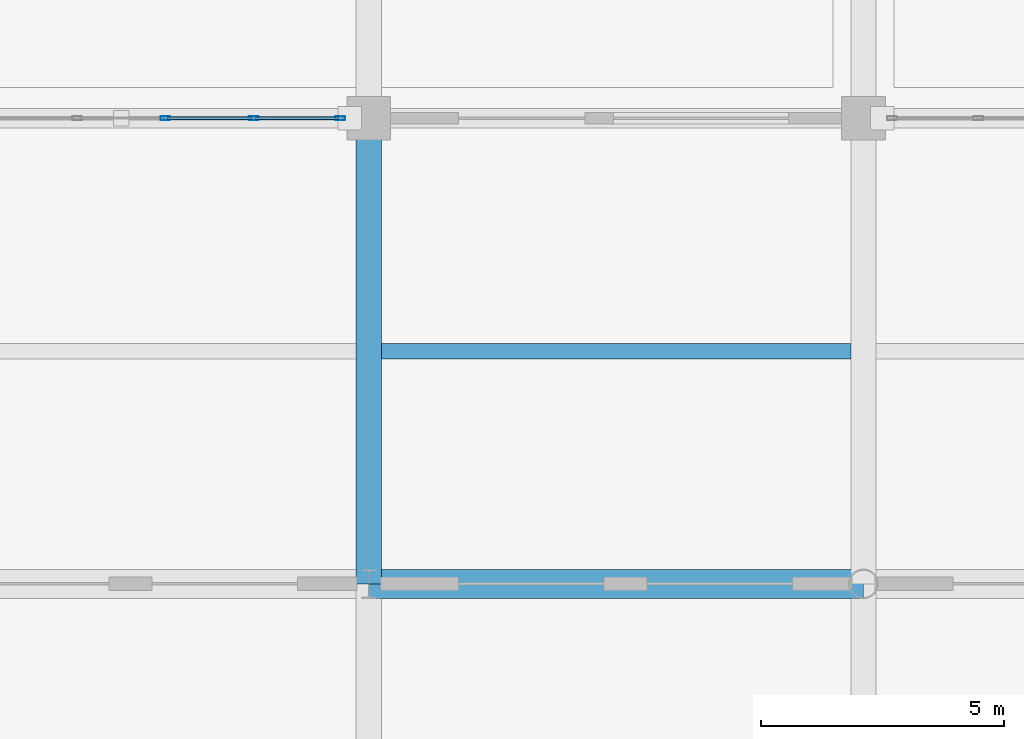
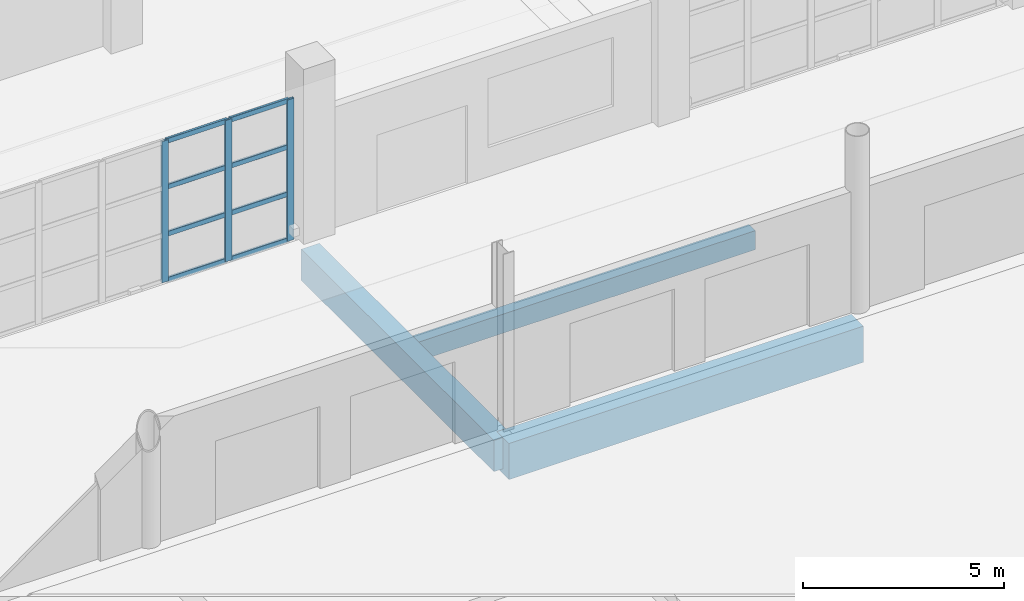
# One storey, part 42 of 124: 11 members, 3 beams, 1 element without a shape of its own.
"""IFC4 building model written with IfcOpenShell, lengths in metres."""

import ifcopenshell
import ifcopenshell.guid

model = None  # the IFC model being written
_history = None  # IfcOwnerHistory: only IFC2X3 demands one
_inside = {}  # id of a spatial element -> (the spatial element, [elements in it])
_under = {}  # id of a project, library or spatial element -> (it, [spatial elements below it])
_declared = {}  # id of a project -> (the project, [libraries it declares])
_typed = {}  # id of a type object -> (the type object, [elements of that type])
_made_of = {}  # id of a material, layer set ... -> (it, [elements and type objects made of it])


def new_model(schema):
    """Start an empty IFC model of exactly this schema.

    Asked for "IFC4X3", IfcOpenShell would pick the latest addendum, in which some entities
    have other attributes; the version numbers below select the first issue.
    IFC2X3 requires an IfcOwnerHistory on every rooted entity: one is made here for all.
    """
    global model, _history
    if schema == "IFC4X3":
        model = ifcopenshell.file(schema_version=(4, 3, 0, 0))
    else:
        model = ifcopenshell.file(schema=schema)
    _inside.clear()
    _under.clear()
    _declared.clear()
    _typed.clear()
    _made_of.clear()
    _history = None
    if model.schema == "IFC2X3":
        org = make("IfcOrganization", Name="unknown")
        user = make(
            "IfcPersonAndOrganization",
            ThePerson=make("IfcPerson", FamilyName="unknown"),
            TheOrganization=org,
        )
        app = make(
            "IfcApplication",
            ApplicationDeveloper=org,
            Version="unknown",
            ApplicationFullName="unknown",
            ApplicationIdentifier="unknown",
        )
        _history = make(
            "IfcOwnerHistory",
            OwningUser=user,
            OwningApplication=app,
            ChangeAction="ADDED",
            CreationDate=0,
        )
    return model


def make(cls, **values):
    """One entity of the class cls with the attributes given. An attribute that is None is left unset."""
    return model.create_entity(
        cls, **{name: value for name, value in values.items() if value is not None}
    )


def rooted(cls, **values):
    """An entity with a GlobalId (a new one), such as an element, a storey or a relation."""
    return make(cls, GlobalId=ifcopenshell.guid.new(), OwnerHistory=_history, **values)


def si_unit(unit_type, name, prefix=None):
    """IfcSIUnit, for example si_unit("LENGTHUNIT", "METRE", prefix="MILLI")."""
    return make("IfcSIUnit", UnitType=unit_type, Prefix=prefix, Name=name)


def assignment(units):
    """IfcUnitAssignment: the units of a project."""
    return None if units is None else make("IfcUnitAssignment", Units=units)


def point(xyz):
    """IfcCartesianPoint."""
    return None if xyz is None else make("IfcCartesianPoint", Coordinates=xyz)


def direction(xyz):
    """IfcDirection."""
    return None if xyz is None else make("IfcDirection", DirectionRatios=xyz)


def frame(location, z_axis=None, x_axis=None):
    """IfcAxis2Placement3D, a coordinate frame: its origin and axes. An axis left out is left unset."""
    return make(
        "IfcAxis2Placement3D",
        Location=point(location),
        Axis=direction(z_axis),
        RefDirection=direction(x_axis),
    )


def frame_2d(location, x_axis=None):
    """IfcAxis2Placement2D, a coordinate frame in the plane: its origin and x axis."""
    return make(
        "IfcAxis2Placement2D", Location=point(location), RefDirection=direction(x_axis)
    )


def origin():
    """The frame at (0, 0, 0) with its axes left unset."""
    return frame((0.0, 0.0, 0.0))


def origin_2d():
    """The frame at (0, 0) in the plane with its x axis left unset."""
    return frame_2d((0.0, 0.0))


def place(relative_to, where):
    """IfcLocalPlacement: puts the frame where relative to a parent placement (None: the world)."""
    return make(
        "IfcLocalPlacement", PlacementRelTo=relative_to, RelativePlacement=where
    )


def context(
    kind, dimensions, precision=None, world=None, true_north=None, identifier=None
):
    """IfcGeometricRepresentationContext, for example the 3D "Model" context."""
    return make(
        "IfcGeometricRepresentationContext",
        ContextIdentifier=identifier,
        ContextType=kind,
        CoordinateSpaceDimension=dimensions,
        Precision=precision,
        WorldCoordinateSystem=world,
        TrueNorth=true_north,
    )


def subcontext(parent, identifier, kind, view, scale=None):
    """IfcGeometricRepresentationSubContext, for example "Body" below "Model"."""
    return make(
        "IfcGeometricRepresentationSubContext",
        ContextIdentifier=identifier,
        ContextType=kind,
        ParentContext=parent,
        TargetScale=scale,
        TargetView=view,
    )


def project(units=None, contexts=None):
    """IfcProject with its units and contexts."""
    return rooted(
        "IfcProject",
        Name="project",
        RepresentationContexts=contexts,
        UnitsInContext=assignment(units),
    )


def spatial(cls, under=None, at=None, **own):
    """A site, building, storey or space (cls), placed at a placement, below another one or the project."""
    s = rooted(cls, ObjectPlacement=at, **own)
    if under is not None:
        _under.setdefault(under.id(), (under, []))[1].append(s)
    return s


def profile(cls, at=None, kind="AREA", **sizes):
    """A parametric profile (cls). Its sizes go by their IFC names, for example OverallWidth=200.0."""
    return make(cls, ProfileType=kind, Position=at, **sizes)


def rectangle(**sizes):
    """IfcRectangleProfileDef."""
    return profile("IfcRectangleProfileDef", **sizes)


def hollow_rectangle(**sizes):
    """IfcRectangleHollowProfileDef."""
    return profile("IfcRectangleHollowProfileDef", **sizes)


def extrude(swept, where, along, depth):
    """IfcExtrudedAreaSolid: the profile swept, set in the frame where, extruded along a direction by depth."""
    return make(
        "IfcExtrudedAreaSolid",
        SweptArea=swept,
        Position=where,
        ExtrudedDirection=direction(along),
        Depth=depth,
    )


def shape(context_of_items, identifier, shape_type, items):
    """IfcShapeRepresentation: the items that make up one representation, for example the "Body"."""
    return make(
        "IfcShapeRepresentation",
        ContextOfItems=context_of_items,
        RepresentationIdentifier=identifier,
        RepresentationType=shape_type,
        Items=items,
    )


def material(Name=None, Category=None):
    """IfcMaterial."""
    return make("IfcMaterial", Name=Name, Category=Category)


def material_profile(
    of_material, cross_section, Name=None, Category=None, Priority=None
):
    """IfcMaterialProfile: a cross section and its material."""
    return make(
        "IfcMaterialProfile",
        Name=Name,
        Material=of_material,
        Profile=cross_section,
        Priority=Priority,
        Category=Category,
    )


def profile_set(profiles, Name=None, composite=None):
    """IfcMaterialProfileSet."""
    return make(
        "IfcMaterialProfileSet",
        Name=Name,
        MaterialProfiles=profiles,
        CompositeProfile=composite,
    )


def made_of(thing, what):
    """Note that an element or type object is made of a material, layer set ...; save() writes the relation."""
    if what is not None:
        _made_of.setdefault(what.id(), (what, []))[1].append(thing)
    return thing


def type_object(cls, material=None, **own):
    """A type object (cls), such as IfcWallType, which elements share."""
    return made_of(rooted(cls, **own), material)


def element(
    cls,
    number,
    at=None,
    inside=None,
    cuts=None,
    type_object=None,
    material=None,
    context=None,
    identifier="Body",
    shape_type=None,
    held_by="IfcProductDefinitionShape",
    body=None,
    shapes=None,
    **own,
):
    """One element of the class cls, such as IfcWall. Its Tag is "e" and its number.

    at: its placement. inside: the storey or other place that contains it. cuts: it is an
    opening in that element (IfcRelVoidsElement). A single representation is given by context,
    identifier, shape_type and body (its items); several are given by shapes. held_by: the class
    of the entity that holds the representations. save() writes the other relations.
    """
    e = rooted(cls, Tag="e%d" % number, ObjectPlacement=at, **own)
    if body is not None:
        shapes = [shape(context, identifier, shape_type, body)]
    if shapes is not None:
        e.Representation = make(held_by, Representations=shapes)
    if inside is not None:
        _inside.setdefault(inside.id(), (inside, []))[1].append(e)
    if cuts is not None:
        rooted(
            "IfcRelVoidsElement", RelatingBuildingElement=cuts, RelatedOpeningElement=e
        )
    if type_object is not None:
        _typed.setdefault(type_object.id(), (type_object, []))[1].append(e)
    return made_of(e, material)


def aggregate(whole, parts):
    """IfcRelAggregates: a whole, such as a stair, and the parts it consists of."""
    return rooted("IfcRelAggregates", RelatingObject=whole, RelatedObjects=parts)


def save(model, path):
    """Write the relations noted so far, then the file.

    IfcRelAggregates (storeys below a building ...), IfcRelContainedInSpatialStructure (elements
    in a storey), IfcRelDefinesByType, IfcRelAssociatesMaterial and IfcRelDeclares: one each for
    every whole, place, type object, material and project.
    """
    for whole, parts in _under.values():
        aggregate(whole, parts)
    for where, things in _inside.values():
        rooted(
            "IfcRelContainedInSpatialStructure",
            RelatedElements=things,
            RelatingStructure=where,
        )
    for kind, things in _typed.values():
        rooted("IfcRelDefinesByType", RelatedObjects=things, RelatingType=kind)
    for what, things in _made_of.values():
        rooted("IfcRelAssociatesMaterial", RelatedObjects=things, RelatingMaterial=what)
    for by, libraries in _declared.values():
        rooted("IfcRelDeclares", RelatingContext=by, RelatedDefinitions=libraries)
    model.write(path)


model = new_model("IFC4")

# Units and contexts
model_context = context("Model", 3, precision=1e-05, world=origin(), true_north=direction((0.0, 1.0)))
body_context = subcontext(model_context, "Body", "Model", "MODEL_VIEW")
ifc_project = project(units=[si_unit("LENGTHUNIT", "METRE"), si_unit("AREAUNIT", "SQUARE_METRE"), si_unit("VOLUMEUNIT", "CUBIC_METRE"), si_unit("PLANEANGLEUNIT", "RADIAN"), si_unit("MASSUNIT", "GRAM", prefix="KILO")], contexts=[model_context])

# Site, building, storey
site_placement = place(None, origin())
site = spatial("IfcSite", under=ifc_project, at=site_placement, CompositionType="ELEMENT")
building_placement = place(site_placement, origin())
building = spatial("IfcBuilding", under=site, at=building_placement, Name="Brelvane Convention Centre", CompositionType="ELEMENT")
storey_placement = place(building_placement, origin())
storey = spatial("IfcBuildingStorey", under=building, at=storey_placement, Name="L00", CompositionType="ELEMENT", Elevation=0.0)

# Curtain wall, members
ifc_material_1 = material(Name="Anodised Aluminium Alloy 6063-T6", Category="aluminium")
curtain_wall_type = type_object("IfcCurtainWallType", Name="Curtain Wall CW-COURT", PredefinedType="USERDEFINED", material=ifc_material_1)
curtain_wall_placement = place(storey_placement, origin())
curtain_wall = element("IfcCurtainWall", 1, at=curtain_wall_placement, inside=storey, type_object=curtain_wall_type, Name="Curtain Wall CW-COURT L00-V4S-05", ObjectType="UNITISED", PredefinedType="USERDEFINED")
ifc_material_2 = material(Name="Anodised Aluminium Alloy 6063-T6", Category="aluminium")
ifc_material_profile_1 = material_profile(ifc_material_2, hollow_rectangle(XDim=0.074951171875, YDim=0.199951171875, WallThickness=0.0048828125, InnerFilletRadius=0.0048828125, OuterFilletRadius=0.010009765625, at=origin_2d()), Name="ALU-M 200x75x5.0")
ifc_profile_set_1 = profile_set([ifc_material_profile_1], Name="Anodised Aluminium Alloy 6063-T6")
member_type_1 = type_object("IfcMemberType", Name="Curtain Mullion CW-M2", PredefinedType="MULLION", material=ifc_profile_set_1)
member_1_placement = place(storey_placement, frame((46.81005859375, 109.199951171875, 0.0), z_axis=(0.0, 0.0, 1.0), x_axis=(0.0, 1.0, 0.0)))
member_1 = element("IfcMember", 2, at=member_1_placement, type_object=member_type_1, Name="CW-COURT mullion 4", PredefinedType="MULLION", context=body_context, shape_type="SweptSolid", body=[
    extrude(hollow_rectangle(XDim=0.074951171875, YDim=0.199951171875, WallThickness=0.0048828125, InnerFilletRadius=0.0048828125, OuterFilletRadius=0.010009765625, at=origin_2d()), origin(), (0.0, 0.0, 1.0), 4.300048828125),
])
member_2_placement = place(storey_placement, frame((48.6298828125, 109.199951171875, 0.0), z_axis=(0.0, 0.0, 1.0), x_axis=(0.0, 1.0, 0.0)))
member_2 = element("IfcMember", 3, at=member_2_placement, type_object=member_type_1, Name="CW-COURT mullion 5", PredefinedType="MULLION", context=body_context, shape_type="SweptSolid", body=[
    extrude(hollow_rectangle(XDim=0.074951171875, YDim=0.199951171875, WallThickness=0.0048828125, InnerFilletRadius=0.0048828125, OuterFilletRadius=0.010009765625, at=origin_2d()), origin(), (0.0, 0.0, 1.0), 4.300048828125),
])
member_3_placement = place(storey_placement, frame((50.41259765625, 109.199951171875, 0.0), z_axis=(0.0, 0.0, 1.0), x_axis=(0.0, 1.0, 0.0)))
member_3 = element("IfcMember", 4, at=member_3_placement, type_object=member_type_1, Name="CW-COURT mullion 6", PredefinedType="MULLION", context=body_context, shape_type="SweptSolid", body=[
    extrude(hollow_rectangle(XDim=0.074951171875, YDim=0.199951171875, WallThickness=0.0048828125, InnerFilletRadius=0.0048828125, OuterFilletRadius=0.010009765625, at=origin_2d()), origin(), (0.0, 0.0, 1.0), 4.300048828125),
])
ifc_material_3 = material(Name="Anodised Aluminium Alloy 6063-T6", Category="aluminium")
ifc_material_profile_2 = material_profile(ifc_material_3, hollow_rectangle(XDim=0.070068359375, YDim=0.14990234375, WallThickness=0.00439453125, InnerFilletRadius=0.00439453125, OuterFilletRadius=0.009033203125, at=origin_2d()), Name="ALU-T 150x70x4.5")
ifc_profile_set_2 = profile_set([ifc_material_profile_2], Name="Anodised Aluminium Alloy 6063-T6")
member_type_2 = type_object("IfcMemberType", Name="Curtain Transom CW-T2", PredefinedType="USERDEFINED", material=ifc_profile_set_2)
member_4_placement = place(storey_placement, frame((46.847412109375, 109.199951171875, 0.034912109375), z_axis=(1.0, 0.0, 0.0), x_axis=(0.0, 1.0, 0.0)))
member_4 = element("IfcMember", 5, at=member_4_placement, type_object=member_type_2, Name="CW-COURT transom 4.1", ObjectType="TRANSOM", PredefinedType="USERDEFINED", context=body_context, shape_type="SweptSolid", body=[
    extrude(hollow_rectangle(XDim=0.070068359375, YDim=0.14990234375, WallThickness=0.00439453125, InnerFilletRadius=0.00439453125, OuterFilletRadius=0.009033203125, at=origin_2d()), origin(), (0.0, 0.0, 1.0), 1.7451171875),
])
member_5_placement = place(storey_placement, frame((46.847412109375, 109.199951171875, 1.433349609375), z_axis=(1.0, 0.0, 0.0), x_axis=(0.0, 1.0, 0.0)))
member_5 = element("IfcMember", 6, at=member_5_placement, type_object=member_type_2, Name="CW-COURT transom 4.2", ObjectType="TRANSOM", PredefinedType="USERDEFINED", context=body_context, shape_type="SweptSolid", body=[
    extrude(hollow_rectangle(XDim=0.070068359375, YDim=0.14990234375, WallThickness=0.00439453125, InnerFilletRadius=0.00439453125, OuterFilletRadius=0.009033203125, at=origin_2d()), origin(), (0.0, 0.0, 1.0), 1.7451171875),
])
member_6_placement = place(storey_placement, frame((46.847412109375, 109.199951171875, 2.86669921875), z_axis=(1.0, 0.0, 0.0), x_axis=(0.0, 1.0, 0.0)))
member_6 = element("IfcMember", 7, at=member_6_placement, type_object=member_type_2, Name="CW-COURT transom 4.3", ObjectType="TRANSOM", PredefinedType="USERDEFINED", context=body_context, shape_type="SweptSolid", body=[
    extrude(hollow_rectangle(XDim=0.070068359375, YDim=0.14990234375, WallThickness=0.00439453125, InnerFilletRadius=0.00439453125, OuterFilletRadius=0.009033203125, at=origin_2d()), origin(), (0.0, 0.0, 1.0), 1.7451171875),
])
member_7_placement = place(storey_placement, frame((46.847412109375, 109.199951171875, 4.264892578125), z_axis=(1.0, 0.0, 0.0), x_axis=(0.0, 1.0, 0.0)))
member_7 = element("IfcMember", 8, at=member_7_placement, type_object=member_type_2, Name="CW-COURT transom 4.4", ObjectType="TRANSOM", PredefinedType="USERDEFINED", context=body_context, shape_type="SweptSolid", body=[
    extrude(hollow_rectangle(XDim=0.070068359375, YDim=0.14990234375, WallThickness=0.00439453125, InnerFilletRadius=0.00439453125, OuterFilletRadius=0.009033203125, at=origin_2d()), origin(), (0.0, 0.0, 1.0), 1.7451171875),
])
member_8_placement = place(storey_placement, frame((48.66748046875, 109.199951171875, 0.034912109375), z_axis=(1.0, 0.0, 0.0), x_axis=(0.0, 1.0, 0.0)))
member_8 = element("IfcMember", 9, at=member_8_placement, type_object=member_type_2, Name="CW-COURT transom 5.1", ObjectType="TRANSOM", PredefinedType="USERDEFINED", context=body_context, shape_type="SweptSolid", body=[
    extrude(hollow_rectangle(XDim=0.070068359375, YDim=0.14990234375, WallThickness=0.00439453125, InnerFilletRadius=0.00439453125, OuterFilletRadius=0.009033203125, at=origin_2d()), origin(), (0.0, 0.0, 1.0), 1.70751953125),
])
member_9_placement = place(storey_placement, frame((48.66748046875, 109.199951171875, 1.433349609375), z_axis=(1.0, 0.0, 0.0), x_axis=(0.0, 1.0, 0.0)))
member_9 = element("IfcMember", 10, at=member_9_placement, type_object=member_type_2, Name="CW-COURT transom 5.2", ObjectType="TRANSOM", PredefinedType="USERDEFINED", context=body_context, shape_type="SweptSolid", body=[
    extrude(hollow_rectangle(XDim=0.070068359375, YDim=0.14990234375, WallThickness=0.00439453125, InnerFilletRadius=0.00439453125, OuterFilletRadius=0.009033203125, at=origin_2d()), origin(), (0.0, 0.0, 1.0), 1.70751953125),
])
member_10_placement = place(storey_placement, frame((48.66748046875, 109.199951171875, 2.86669921875), z_axis=(1.0, 0.0, 0.0), x_axis=(0.0, 1.0, 0.0)))
member_10 = element("IfcMember", 11, at=member_10_placement, type_object=member_type_2, Name="CW-COURT transom 5.3", ObjectType="TRANSOM", PredefinedType="USERDEFINED", context=body_context, shape_type="SweptSolid", body=[
    extrude(hollow_rectangle(XDim=0.070068359375, YDim=0.14990234375, WallThickness=0.00439453125, InnerFilletRadius=0.00439453125, OuterFilletRadius=0.009033203125, at=origin_2d()), origin(), (0.0, 0.0, 1.0), 1.70751953125),
])
member_11_placement = place(storey_placement, frame((48.66748046875, 109.199951171875, 4.264892578125), z_axis=(1.0, 0.0, 0.0), x_axis=(0.0, 1.0, 0.0)))
member_11 = element("IfcMember", 12, at=member_11_placement, type_object=member_type_2, Name="CW-COURT transom 5.4", ObjectType="TRANSOM", PredefinedType="USERDEFINED", context=body_context, shape_type="SweptSolid", body=[
    extrude(hollow_rectangle(XDim=0.070068359375, YDim=0.14990234375, WallThickness=0.00439453125, InnerFilletRadius=0.00439453125, OuterFilletRadius=0.009033203125, at=origin_2d()), origin(), (0.0, 0.0, 1.0), 1.70751953125),
])
aggregate(curtain_wall, [member_1, member_2, member_3, member_4, member_5, member_6, member_7, member_8, member_9, member_10, member_11])

# Beams
ifc_material_4 = material(Name="Concrete M50", Category="concrete")
ifc_material_profile_3 = material_profile(ifc_material_4, rectangle(XDim=0.60009765625, YDim=1.10009765625, at=origin_2d()), Name="RC 600x1100")
ifc_profile_set_3 = profile_set([ifc_material_profile_3], Name="Concrete M50")
beam_type_1 = type_object("IfcBeamType", Name="RC Beam B-RC2 (RC 600x1100)", PredefinedType="BEAM", material=ifc_profile_set_3)
beam_1_placement = place(storey_placement, frame((51.0, 99.60009765625, -0.949951171875), z_axis=(1.0, 0.0, 0.0), x_axis=(0.0, 1.0, 0.0)))
element("IfcBeam", 13, at=beam_1_placement, inside=storey, type_object=beam_type_1, Name="L00 Beam 6-7/K", PredefinedType="BEAM", context=body_context, shape_type="SweptSolid", body=[
    extrude(rectangle(XDim=0.60009765625, YDim=1.10009765625, at=origin_2d()), origin(), (0.0, 0.0, 1.0), 10.199951171875),
])
ifc_material_5 = material(Name="Concrete M50", Category="concrete")
ifc_material_profile_4 = material_profile(ifc_material_5, rectangle(XDim=0.52001953125, YDim=0.949951171875, at=origin_2d()), Name="RC 520x950")
ifc_profile_set_4 = profile_set([ifc_material_profile_4], Name="Concrete M50")
beam_type_2 = type_object("IfcBeamType", Name="RC Beam B-RC9 (RC 520x950)", PredefinedType="BEAM", material=ifc_profile_set_4)
beam_2_placement = place(storey_placement, frame((51.0, 99.60009765625, -0.875), z_axis=(0.0, 1.0, 0.0), x_axis=(-1.0, 0.0, 0.0)))
element("IfcBeam", 14, at=beam_2_placement, inside=storey, type_object=beam_type_2, Name="L00 Girder 6/K-L", PredefinedType="BEAM", context=body_context, shape_type="SweptSolid", body=[
    extrude(rectangle(XDim=0.52001953125, YDim=0.949951171875, at=origin_2d()), origin(), (0.0, 0.0, 1.0), 9.599853515625),
])
ifc_material_6 = material(Name="Concrete M40", Category="concrete")
ifc_material_profile_5 = material_profile(ifc_material_6, rectangle(XDim=0.320068359375, YDim=0.580078125, at=origin_2d()), Name="RC 320x580")
ifc_profile_set_5 = profile_set([ifc_material_profile_5], Name="Concrete M40")
beam_type_3 = type_object("IfcBeamType", Name="RC Joist J-RC3 (RC 320x580)", PredefinedType="JOIST", material=ifc_profile_set_5)
beam_3_placement = place(storey_placement, frame((51.260009765625, 104.39990234375, -0.68994140625), z_axis=(1.0, 0.0, 0.0), x_axis=(0.0, 1.0, 0.0)))
element("IfcBeam", 15, at=beam_3_placement, inside=storey, type_object=beam_type_3, Name="L00 Secondary Joist 6-7/KL", PredefinedType="JOIST", context=body_context, shape_type="SweptSolid", body=[
    extrude(rectangle(XDim=0.320068359375, YDim=0.580078125, at=origin_2d()), origin(), (0.0, 0.0, 1.0), 9.679931640625),
])

save(model, "model.ifc")
